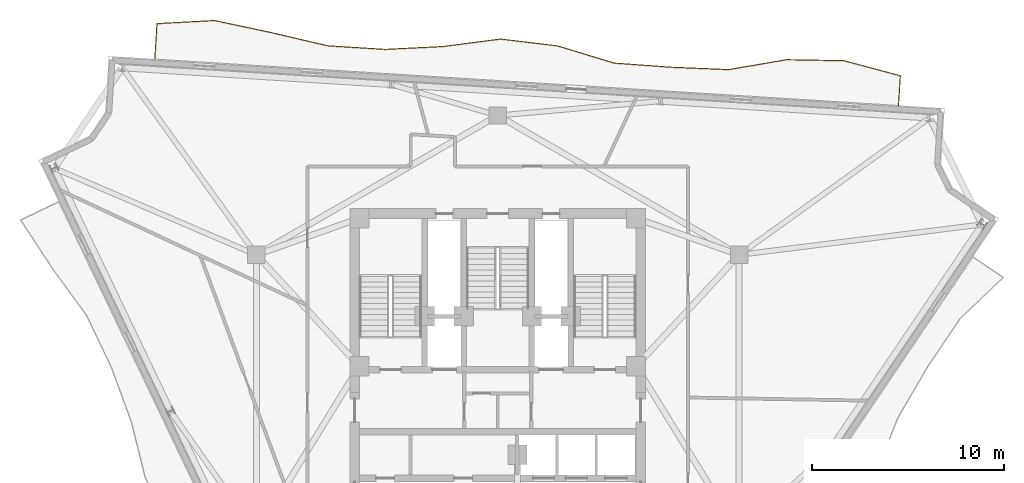
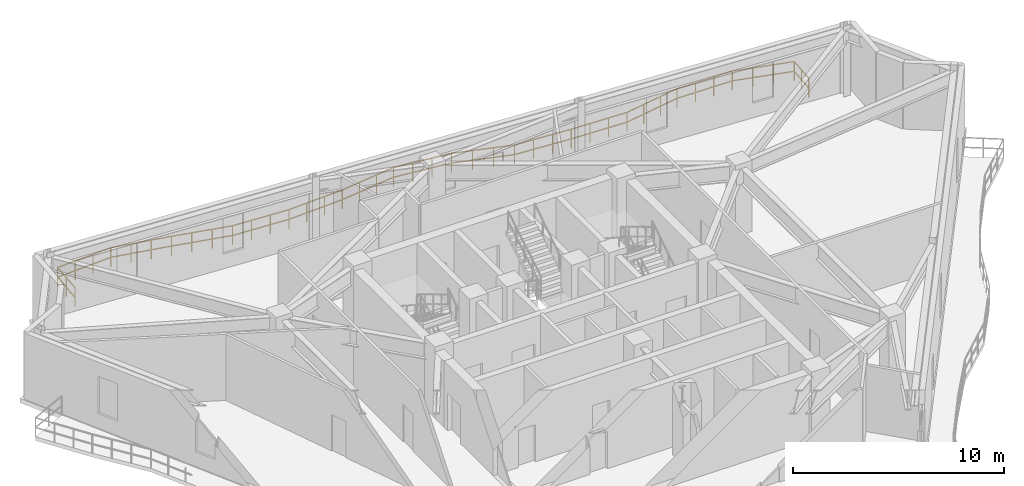
# One storey, part 11 of 11: 1 railing.
"""IFC4 building model written with IfcOpenShell, lengths in metres."""

from ifc_helpers import new_model, si_unit, direction, frame, origin, origin_2d, place, context, subcontext, project, spatial, rectangle, extrude, material, type_object, element, save


model = new_model("IFC4")

# Units and contexts
model_context = context("Model", 3, precision=1e-05, world=origin(), true_north=direction((0.0, 1.0)))
body_context = subcontext(model_context, "Body", "Model", "MODEL_VIEW")
ifc_project = project(units=[si_unit("LENGTHUNIT", "METRE"), si_unit("AREAUNIT", "SQUARE_METRE"), si_unit("VOLUMEUNIT", "CUBIC_METRE"), si_unit("PLANEANGLEUNIT", "RADIAN"), si_unit("MASSUNIT", "GRAM", prefix="KILO")], contexts=[model_context])

# Site, building, storey
site_placement = place(None, origin())
site = spatial("IfcSite", under=ifc_project, at=site_placement, CompositionType="ELEMENT")
building_placement = place(site_placement, origin())
building = spatial("IfcBuilding", under=site, at=building_placement, Name="Apsidion Concourse Tower", CompositionType="ELEMENT")
storey_placement = place(building_placement, frame((0.0, 0.0, 314.699951171875)))
storey = spatial("IfcBuildingStorey", under=building, at=storey_placement, Name="L74", CompositionType="ELEMENT", Elevation=314.699951171875)

# Railing
ifc_material = material(Name="Brushed stainless steel 316", Category="steel")
railing_type = type_object("IfcRailingType", Name="RL-BAL-1120", PredefinedType="BALUSTRADE", material=ifc_material)
railing_placement = place(storey_placement, frame((-17.848388671875, 17.43896484375, 0.0)))
element("IfcRailing", 1, at=railing_placement, inside=storey, type_object=railing_type, Name="L74 Face 3 Rippling Balcony Balustrade", PredefinedType="BALUSTRADE", context=body_context, shape_type="SweptSolid", body=[
    extrude(rectangle(XDim=0.048095703125, YDim=0.048095703125, at=origin_2d()), frame((0.0, 0.0, 1.09619140625), z_axis=(0.062296117353, 0.998057710637, 0.0), x_axis=(-0.998057710637, 0.062296117353, 0.0)), (0.0, 0.0, 1.0), 1.849853515625),
    extrude(rectangle(XDim=0.048095703125, YDim=0.048095703125, at=origin_2d()), frame((0.0, 0.0, 0.5361328125), z_axis=(0.062296117353, 0.998057710637, 0.0), x_axis=(-0.998057710637, 0.062296117353, 0.0)), (0.0, 0.0, 1.0), 1.849853515625),
    extrude(rectangle(XDim=0.048095703125, YDim=0.048095703125, at=origin_2d()), frame((0.115234375, 1.84619140625, 1.09619140625), z_axis=(0.998546415016, 0.053898581222, 0.0), x_axis=(-0.053898581222, 0.998546415016, 0.0)), (0.0, 0.0, 1.0), 3.003173828125),
    extrude(rectangle(XDim=0.048095703125, YDim=0.048095703125, at=origin_2d()), frame((0.115234375, 1.84619140625, 0.5361328125), z_axis=(0.998546415016, 0.053898581222, 0.0), x_axis=(-0.053898581222, 0.998546415016, 0.0)), (0.0, 0.0, 1.0), 3.003173828125),
    extrude(rectangle(XDim=0.048095703125, YDim=0.048095703125, at=origin_2d()), frame((3.114013671875, 2.008056640625, 1.09619140625), z_axis=(0.978050501244, -0.208367984622, 0.0), x_axis=(0.208367984622, 0.978050501244, 0.0)), (0.0, 0.0, 1.0), 3.015869140625),
    extrude(rectangle(XDim=0.048095703125, YDim=0.048095703125, at=origin_2d()), frame((3.114013671875, 2.008056640625, 0.5361328125), z_axis=(0.978050501244, -0.208367984622, 0.0), x_axis=(0.208367984622, 0.978050501244, 0.0)), (0.0, 0.0, 1.0), 3.015869140625),
    extrude(rectangle(XDim=0.048095703125, YDim=0.048095703125, at=origin_2d()), frame((6.063720703125, 1.379638671875, 1.09619140625), z_axis=(0.973727402833, -0.227716808718, 0.0), x_axis=(0.227716808718, 0.973727402833, 0.0)), (0.0, 0.0, 1.0), 3.025634765625),
    extrude(rectangle(XDim=0.048095703125, YDim=0.048095703125, at=origin_2d()), frame((6.063720703125, 1.379638671875, 0.5361328125), z_axis=(0.973727402833, -0.227716808718, 0.0), x_axis=(0.227716808718, 0.973727402833, 0.0)), (0.0, 0.0, 1.0), 3.025634765625),
    extrude(rectangle(XDim=0.048095703125, YDim=0.048095703125, at=origin_2d()), frame((9.009765625, 0.690673828125, 1.09619140625), z_axis=(0.998058624336, -0.062281477091, 0.0), x_axis=(0.062281477091, 0.998058624336, 0.0)), (0.0, 0.0, 1.0), 2.983154296875),
    extrude(rectangle(XDim=0.048095703125, YDim=0.048095703125, at=origin_2d()), frame((9.009765625, 0.690673828125, 0.5361328125), z_axis=(0.998058624336, -0.062281477091, 0.0), x_axis=(0.062281477091, 0.998058624336, 0.0)), (0.0, 0.0, 1.0), 2.983154296875),
    extrude(rectangle(XDim=0.048095703125, YDim=0.048095703125, at=origin_2d()), frame((11.987060546875, 0.5048828125, 1.09619140625), z_axis=(0.998780573294, 0.049369691204, 0.0), x_axis=(-0.049369691204, 0.998780573294, 0.0)), (0.0, 0.0, 1.0), 3.001708984375),
    extrude(rectangle(XDim=0.048095703125, YDim=0.048095703125, at=origin_2d()), frame((11.987060546875, 0.5048828125, 0.5361328125), z_axis=(0.998780573294, 0.049369691204, 0.0), x_axis=(-0.049369691204, 0.998780573294, 0.0)), (0.0, 0.0, 1.0), 3.001708984375),
    extrude(rectangle(XDim=0.048095703125, YDim=0.048095703125, at=origin_2d()), frame((14.985107421875, 0.653076171875, 1.09619140625), z_axis=(0.991721845289, 0.128404756828, 0.0), x_axis=(-0.128404756828, 0.991721845289, 0.0)), (0.0, 0.0, 1.0), 3.038330078125),
    extrude(rectangle(XDim=0.048095703125, YDim=0.048095703125, at=origin_2d()), frame((14.985107421875, 0.653076171875, 0.5361328125), z_axis=(0.991721845289, 0.128404756828, 0.0), x_axis=(-0.128404756828, 0.991721845289, 0.0)), (0.0, 0.0, 1.0), 3.038330078125),
    extrude(rectangle(XDim=0.048095703125, YDim=0.048095703125, at=origin_2d()), frame((17.998291015625, 1.043212890625, 1.09619140625), z_axis=(0.992879157999, -0.11912588976, 0.0), x_axis=(0.11912588976, 0.992879157999, 0.0)), (0.0, 0.0, 1.0), 2.988037109375),
    extrude(rectangle(XDim=0.048095703125, YDim=0.048095703125, at=origin_2d()), frame((17.998291015625, 1.043212890625, 0.5361328125), z_axis=(0.992879157999, -0.11912588976, 0.0), x_axis=(0.11912588976, 0.992879157999, 0.0)), (0.0, 0.0, 1.0), 2.988037109375),
    extrude(rectangle(XDim=0.048095703125, YDim=0.048095703125, at=origin_2d()), frame((20.965087890625, 0.687255859375, 1.09619140625), z_axis=(0.956572573807, -0.291494272741, 0.0), x_axis=(0.291494272741, 0.956572573807, 0.0)), (0.0, 0.0, 1.0), 3.066162109375),
    extrude(rectangle(XDim=0.048095703125, YDim=0.048095703125, at=origin_2d()), frame((20.965087890625, 0.687255859375, 0.5361328125), z_axis=(0.956572573807, -0.291494272741, 0.0), x_axis=(0.291494272741, 0.956572573807, 0.0)), (0.0, 0.0, 1.0), 3.066162109375),
    extrude(rectangle(XDim=0.048095703125, YDim=0.048095703125, at=origin_2d()), frame((23.898193359375, -0.20654296875, 1.09619140625), z_axis=(0.997349969394, -0.072753271748, 0.0), x_axis=(0.072753271748, 0.997349969394, 0.0)), (0.0, 0.0, 1.0), 2.983154296875),
    extrude(rectangle(XDim=0.048095703125, YDim=0.048095703125, at=origin_2d()), frame((23.898193359375, -0.20654296875, 0.5361328125), z_axis=(0.997349969394, -0.072753271748, 0.0), x_axis=(0.072753271748, 0.997349969394, 0.0)), (0.0, 0.0, 1.0), 2.983154296875),
    extrude(rectangle(XDim=0.048095703125, YDim=0.048095703125, at=origin_2d()), frame((26.87353515625, -0.423583984375, 1.09619140625), z_axis=(0.999159388909, -0.040994091708, 0.0), x_axis=(0.040994091708, 0.999159388909, 0.0)), (0.0, 0.0, 1.0), 2.983642578125),
    extrude(rectangle(XDim=0.048095703125, YDim=0.048095703125, at=origin_2d()), frame((26.87353515625, -0.423583984375, 0.5361328125), z_axis=(0.999159388909, -0.040994091708, 0.0), x_axis=(0.040994091708, 0.999159388909, 0.0)), (0.0, 0.0, 1.0), 2.983642578125),
    extrude(rectangle(XDim=0.048095703125, YDim=0.048095703125, at=origin_2d()), frame((29.854736328125, -0.5458984375, 1.09619140625), z_axis=(0.985771217442, 0.168092554453, 0.0), x_axis=(-0.168092554453, 0.985771217442, 0.0)), (0.0, 0.0, 1.0), 3.064697265625),
    extrude(rectangle(XDim=0.048095703125, YDim=0.048095703125, at=origin_2d()), frame((29.854736328125, -0.5458984375, 0.5361328125), z_axis=(0.985771217442, 0.168092554453, 0.0), x_axis=(-0.168092554453, 0.985771217442, 0.0)), (0.0, 0.0, 1.0), 3.064697265625),
    extrude(rectangle(XDim=0.048095703125, YDim=0.048095703125, at=origin_2d()), frame((32.875732421875, -0.03076171875, 1.09619140625), z_axis=(0.999845487233, -0.017578443025, 0.0), x_axis=(0.017578443025, 0.999845487233, 0.0)), (0.0, 0.0, 1.0), 2.986083984375),
    extrude(rectangle(XDim=0.048095703125, YDim=0.048095703125, at=origin_2d()), frame((32.875732421875, -0.03076171875, 0.5361328125), z_axis=(0.999845487233, -0.017578443025, 0.0), x_axis=(0.017578443025, 0.999845487233, 0.0)), (0.0, 0.0, 1.0), 2.986083984375),
    extrude(rectangle(XDim=0.048095703125, YDim=0.048095703125, at=origin_2d()), frame((35.861328125, -0.083251953125, 1.09619140625), z_axis=(0.966278875734, -0.257497833602, 0.0), x_axis=(0.257497833602, 0.966278875734, 0.0)), (0.0, 0.0, 1.0), 3.04248046875),
    extrude(rectangle(XDim=0.048095703125, YDim=0.048095703125, at=origin_2d()), frame((35.861328125, -0.083251953125, 0.5361328125), z_axis=(0.966278875734, -0.257497833602, 0.0), x_axis=(0.257497833602, 0.966278875734, 0.0)), (0.0, 0.0, 1.0), 3.04248046875),
    extrude(rectangle(XDim=0.048095703125, YDim=0.048095703125, at=origin_2d()), frame((38.80126953125, -0.86669921875, 1.09619140625), z_axis=(-0.062211595103, -0.998062982699, 0.0), x_axis=(0.998062982699, -0.062211595103, 0.0)), (0.0, 0.0, 1.0), 1.550048828125),
    extrude(rectangle(XDim=0.048095703125, YDim=0.048095703125, at=origin_2d()), frame((38.80126953125, -0.86669921875, 0.5361328125), z_axis=(-0.062211595103, -0.998062982699, 0.0), x_axis=(0.998062982699, -0.062211595103, 0.0)), (0.0, 0.0, 1.0), 1.550048828125),
    extrude(rectangle(XDim=0.0419921875, YDim=0.0419921875, at=origin_2d()), origin(), (0.0, 0.0, 1.0), 1.072021484375),
    extrude(rectangle(XDim=0.0419921875, YDim=0.0419921875, at=origin_2d()), frame((0.0576171875, 0.923095703125, 0.0)), (0.0, 0.0, 1.0), 1.072021484375),
    extrude(rectangle(XDim=0.0419921875, YDim=0.0419921875, at=origin_2d()), frame((0.115234375, 1.84619140625, 0.0)), (0.0, 0.0, 1.0), 1.072021484375),
    extrude(rectangle(XDim=0.0419921875, YDim=0.0419921875, at=origin_2d()), frame((1.11474609375, 1.900146484375, 0.0)), (0.0, 0.0, 1.0), 1.072021484375),
    extrude(rectangle(XDim=0.0419921875, YDim=0.0419921875, at=origin_2d()), frame((2.114501953125, 1.9541015625, 0.0)), (0.0, 0.0, 1.0), 1.072021484375),
    extrude(rectangle(XDim=0.0419921875, YDim=0.0419921875, at=origin_2d()), frame((3.114013671875, 2.008056640625, 0.0)), (0.0, 0.0, 1.0), 1.072021484375),
    extrude(rectangle(XDim=0.0419921875, YDim=0.0419921875, at=origin_2d()), frame((4.09716796875, 1.798583984375, 0.0)), (0.0, 0.0, 1.0), 1.072021484375),
    extrude(rectangle(XDim=0.0419921875, YDim=0.0419921875, at=origin_2d()), frame((5.08056640625, 1.589111328125, 0.0)), (0.0, 0.0, 1.0), 1.072021484375),
    extrude(rectangle(XDim=0.0419921875, YDim=0.0419921875, at=origin_2d()), frame((6.063720703125, 1.379638671875, 0.0)), (0.0, 0.0, 1.0), 1.072021484375),
    extrude(rectangle(XDim=0.0419921875, YDim=0.0419921875, at=origin_2d()), frame((7.045654296875, 1.14990234375, 0.0)), (0.0, 0.0, 1.0), 1.072021484375),
    extrude(rectangle(XDim=0.0419921875, YDim=0.0419921875, at=origin_2d()), frame((8.02783203125, 0.92041015625, 0.0)), (0.0, 0.0, 1.0), 1.072021484375),
    extrude(rectangle(XDim=0.0419921875, YDim=0.0419921875, at=origin_2d()), frame((9.009765625, 0.690673828125, 0.0)), (0.0, 0.0, 1.0), 1.072021484375),
    extrude(rectangle(XDim=0.0419921875, YDim=0.0419921875, at=origin_2d()), frame((10.002197265625, 0.628662109375, 0.0)), (0.0, 0.0, 1.0), 1.072021484375),
    extrude(rectangle(XDim=0.0419921875, YDim=0.0419921875, at=origin_2d()), frame((10.99462890625, 0.56689453125, 0.0)), (0.0, 0.0, 1.0), 1.072021484375),
    extrude(rectangle(XDim=0.0419921875, YDim=0.0419921875, at=origin_2d()), frame((11.987060546875, 0.5048828125, 0.0)), (0.0, 0.0, 1.0), 1.072021484375),
    extrude(rectangle(XDim=0.0419921875, YDim=0.0419921875, at=origin_2d()), frame((12.986328125, 0.55419921875, 0.0)), (0.0, 0.0, 1.0), 1.072021484375),
    extrude(rectangle(XDim=0.0419921875, YDim=0.0419921875, at=origin_2d()), frame((13.98583984375, 0.603759765625, 0.0)), (0.0, 0.0, 1.0), 1.072021484375),
    extrude(rectangle(XDim=0.0419921875, YDim=0.0419921875, at=origin_2d()), frame((14.985107421875, 0.653076171875, 0.0)), (0.0, 0.0, 1.0), 1.072021484375),
    extrude(rectangle(XDim=0.0419921875, YDim=0.0419921875, at=origin_2d()), frame((15.989501953125, 0.783203125, 0.0)), (0.0, 0.0, 1.0), 1.072021484375),
    extrude(rectangle(XDim=0.0419921875, YDim=0.0419921875, at=origin_2d()), frame((16.993896484375, 0.9130859375, 0.0)), (0.0, 0.0, 1.0), 1.072021484375),
    extrude(rectangle(XDim=0.0419921875, YDim=0.0419921875, at=origin_2d()), frame((17.998291015625, 1.043212890625, 0.0)), (0.0, 0.0, 1.0), 1.072021484375),
    extrude(rectangle(XDim=0.0419921875, YDim=0.0419921875, at=origin_2d()), frame((18.9873046875, 0.924560546875, 0.0)), (0.0, 0.0, 1.0), 1.072021484375),
    extrude(rectangle(XDim=0.0419921875, YDim=0.0419921875, at=origin_2d()), frame((19.97607421875, 0.805908203125, 0.0)), (0.0, 0.0, 1.0), 1.072021484375),
    extrude(rectangle(XDim=0.0419921875, YDim=0.0419921875, at=origin_2d()), frame((20.965087890625, 0.687255859375, 0.0)), (0.0, 0.0, 1.0), 1.072021484375),
    extrude(rectangle(XDim=0.0419921875, YDim=0.0419921875, at=origin_2d()), frame((21.94287109375, 0.389404296875, 0.0)), (0.0, 0.0, 1.0), 1.072021484375),
    extrude(rectangle(XDim=0.0419921875, YDim=0.0419921875, at=origin_2d()), frame((22.92041015625, 0.09130859375, 0.0)), (0.0, 0.0, 1.0), 1.072021484375),
    extrude(rectangle(XDim=0.0419921875, YDim=0.0419921875, at=origin_2d()), frame((23.898193359375, -0.20654296875, 0.0)), (0.0, 0.0, 1.0), 1.072021484375),
    extrude(rectangle(XDim=0.0419921875, YDim=0.0419921875, at=origin_2d()), frame((24.889892578125, -0.27880859375, 0.0)), (0.0, 0.0, 1.0), 1.072021484375),
    extrude(rectangle(XDim=0.0419921875, YDim=0.0419921875, at=origin_2d()), frame((25.8818359375, -0.351318359375, 0.0)), (0.0, 0.0, 1.0), 1.072021484375),
    extrude(rectangle(XDim=0.0419921875, YDim=0.0419921875, at=origin_2d()), frame((26.87353515625, -0.423583984375, 0.0)), (0.0, 0.0, 1.0), 1.072021484375),
    extrude(rectangle(XDim=0.0419921875, YDim=0.0419921875, at=origin_2d()), frame((27.8671875, -0.46435546875, 0.0)), (0.0, 0.0, 1.0), 1.072021484375),
    extrude(rectangle(XDim=0.0419921875, YDim=0.0419921875, at=origin_2d()), frame((28.861083984375, -0.505126953125, 0.0)), (0.0, 0.0, 1.0), 1.072021484375),
    extrude(rectangle(XDim=0.0419921875, YDim=0.0419921875, at=origin_2d()), frame((29.854736328125, -0.5458984375, 0.0)), (0.0, 0.0, 1.0), 1.072021484375),
    extrude(rectangle(XDim=0.0419921875, YDim=0.0419921875, at=origin_2d()), frame((30.86181640625, -0.374267578125, 0.0)), (0.0, 0.0, 1.0), 1.072021484375),
    extrude(rectangle(XDim=0.0419921875, YDim=0.0419921875, at=origin_2d()), frame((31.86865234375, -0.202392578125, 0.0)), (0.0, 0.0, 1.0), 1.072021484375),
    extrude(rectangle(XDim=0.0419921875, YDim=0.0419921875, at=origin_2d()), frame((32.875732421875, -0.03076171875, 0.0)), (0.0, 0.0, 1.0), 1.072021484375),
    extrude(rectangle(XDim=0.0419921875, YDim=0.0419921875, at=origin_2d()), frame((33.870849609375, -0.04833984375, 0.0)), (0.0, 0.0, 1.0), 1.072021484375),
    extrude(rectangle(XDim=0.0419921875, YDim=0.0419921875, at=origin_2d()), frame((34.8662109375, -0.065673828125, 0.0)), (0.0, 0.0, 1.0), 1.072021484375),
    extrude(rectangle(XDim=0.0419921875, YDim=0.0419921875, at=origin_2d()), frame((35.861328125, -0.083251953125, 0.0)), (0.0, 0.0, 1.0), 1.072021484375),
    extrude(rectangle(XDim=0.0419921875, YDim=0.0419921875, at=origin_2d()), frame((36.84130859375, -0.344482421875, 0.0)), (0.0, 0.0, 1.0), 1.072021484375),
    extrude(rectangle(XDim=0.0419921875, YDim=0.0419921875, at=origin_2d()), frame((37.8212890625, -0.60546875, 0.0)), (0.0, 0.0, 1.0), 1.072021484375),
    extrude(rectangle(XDim=0.0419921875, YDim=0.0419921875, at=origin_2d()), frame((38.80126953125, -0.86669921875, 0.0)), (0.0, 0.0, 1.0), 1.072021484375),
    extrude(rectangle(XDim=0.0419921875, YDim=0.0419921875, at=origin_2d()), frame((38.7529296875, -1.64013671875, 0.0)), (0.0, 0.0, 1.0), 1.072021484375),
    extrude(rectangle(XDim=0.0419921875, YDim=0.0419921875, at=origin_2d()), frame((38.704833984375, -2.413818359375, 0.0)), (0.0, 0.0, 1.0), 1.072021484375),
])

save(model, "model.ifc")
